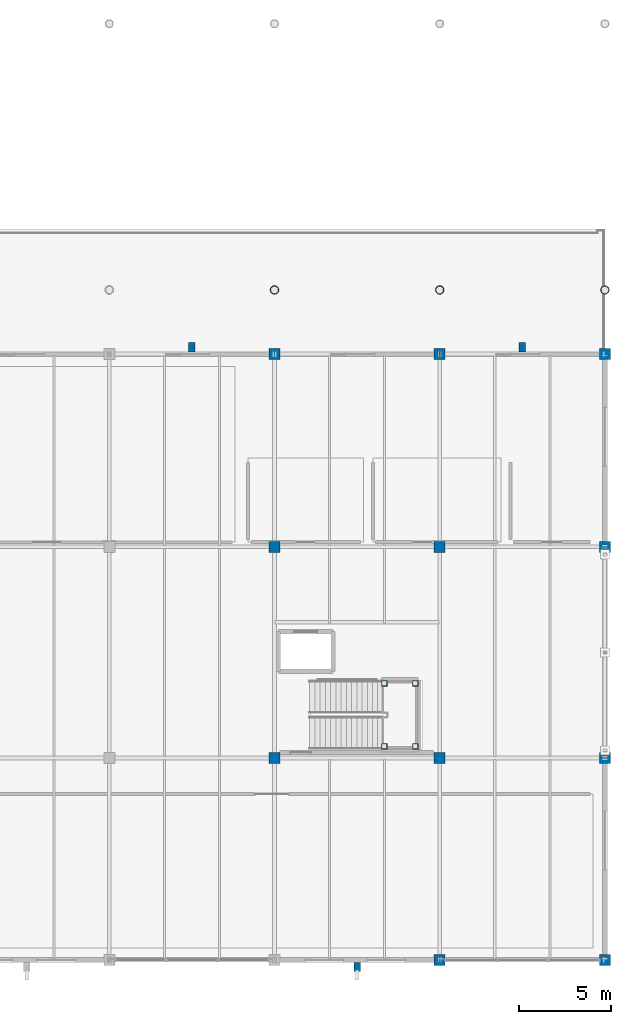
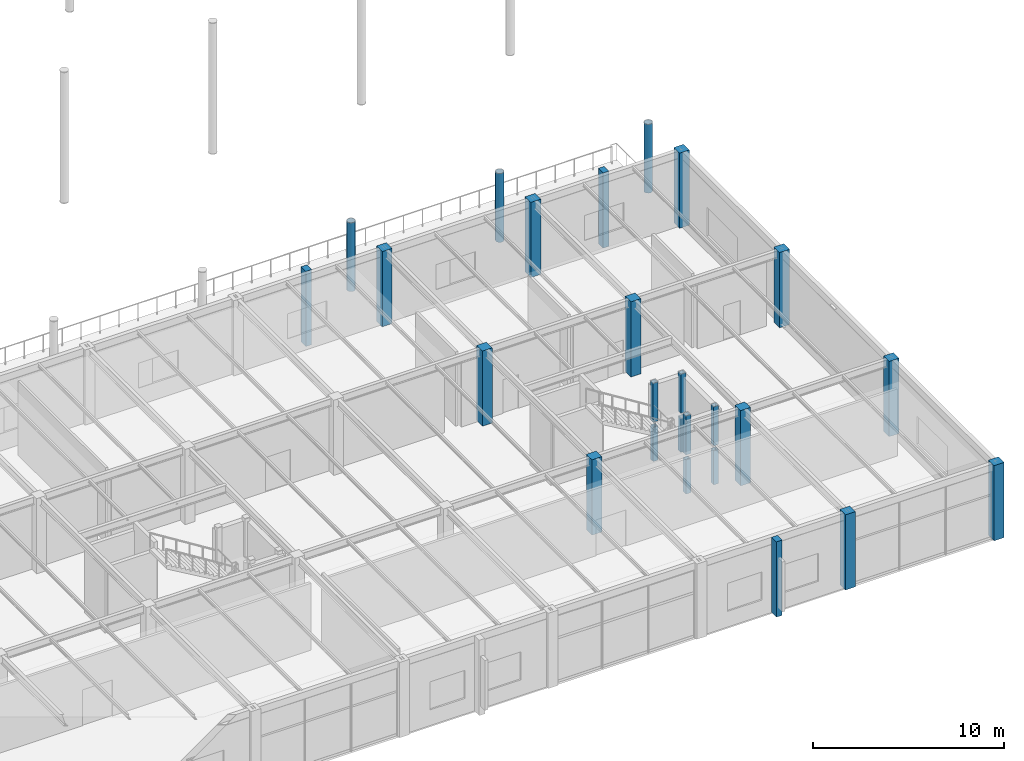
# One storey, part 19 of 143: 25 columns.
"""IFC4 building model written with IfcOpenShell, lengths in metres."""

from ifc_helpers import new_model, si_unit, direction, frame, origin, origin_2d, place, context, subcontext, project, spatial, rectangle, hollow_rectangle, hollow_circle, extrude, material, material_profile, profile_set, type_object, element, save


model = new_model("IFC4")

# Units and contexts
model_context = context("Model", 3, precision=1e-05, world=origin(), true_north=direction((0.0, 1.0)))
body_context = subcontext(model_context, "Body", "Model", "MODEL_VIEW")
ifc_project = project(units=[si_unit("LENGTHUNIT", "METRE"), si_unit("AREAUNIT", "SQUARE_METRE"), si_unit("VOLUMEUNIT", "CUBIC_METRE"), si_unit("PLANEANGLEUNIT", "RADIAN"), si_unit("MASSUNIT", "GRAM", prefix="KILO")], contexts=[model_context])

# Site, building, storey
site_placement = place(None, origin())
site = spatial("IfcSite", under=ifc_project, at=site_placement, CompositionType="ELEMENT")
building_placement = place(site_placement, origin())
building = spatial("IfcBuilding", under=site, at=building_placement, Name="Marlcrest Central Station", CompositionType="ELEMENT")
storey_placement = place(building_placement, frame((0.0, 0.0, 4.800048828125)))
storey = spatial("IfcBuildingStorey", under=building, at=storey_placement, Name="L01", CompositionType="ELEMENT", Elevation=4.800048828125)

# Columns
ifc_material_1 = material(Name="Precast concrete C40/50", Category="concrete")
ifc_material_profile_1 = material_profile(ifc_material_1, rectangle(XDim=0.35009765625, YDim=0.5, at=origin_2d()), Name="PIL 350x500")
ifc_profile_set_1 = profile_set([ifc_material_profile_1], Name="Precast concrete C40/50")
column_type_1 = type_object("IfcColumnType", Name="PL-01", PredefinedType="PILASTER", material=ifc_profile_set_1)
for number, where, z_axis, x_axis, name in (
    (1, (193.5, 33.3798828125, 0.0), (0.0, 0.0, 1.0), (1.0, 0.0, 0.0), "col-PL-01-L01-0331"),
    (2, (202.5, -0.3798828125, 0.0), (0.0, 0.0, 1.0), (1.0, 0.0, 0.0), "col-PL-01-L01-0332"),
    (3, (211.5, 33.3798828125, 0.0), (0.0, 0.0, 1.0), (1.0, 0.0, 0.0), "col-PL-01-L01-0333"),
):
    element("IfcColumn", number, at=place(storey_placement, frame(where, z_axis=z_axis, x_axis=x_axis)), inside=storey, type_object=column_type_1, Name=name, PredefinedType="PILASTER", context=body_context, shape_type="SweptSolid", body=[
        extrude(rectangle(XDim=0.35009765625, YDim=0.5, at=origin_2d()), origin(), (0.0, 0.0, 1.0), 4.81494140625),
    ])
ifc_material_2 = material(Name="Concrete C50/60", Category="concrete")
ifc_material_profile_2 = material_profile(ifc_material_2, rectangle(XDim=0.60009765625, YDim=0.60009765625, at=origin_2d()), Name="RC 600x600")
ifc_profile_set_2 = profile_set([ifc_material_profile_2], Name="Concrete C50/60")
column_type_2 = type_object("IfcColumnType", Name="RC-04", PredefinedType="COLUMN", material=ifc_profile_set_2)
for number, where, z_axis, x_axis, name in (
    (4, (198.0, 11.0, 0.0), (0.0, 0.0, 1.0), (1.0, 0.0, 0.0), "col-RC-04-L01-0317"),
    (5, (198.0, 22.5, 0.0), (0.0, 0.0, 1.0), (1.0, 0.0, 0.0), "col-RC-04-L01-0318"),
    (6, (198.0, 33.0, 0.0), (0.0, 0.0, 1.0), (1.0, 0.0, 0.0), "col-RC-04-L01-0319"),
    (7, (207.0, 0.0, 0.0), (0.0, 0.0, 1.0), (1.0, 0.0, 0.0), "col-RC-04-L01-0320"),
    (8, (207.0, 11.0, 0.0), (0.0, 0.0, 1.0), (1.0, 0.0, 0.0), "col-RC-04-L01-0321"),
    (9, (207.0, 22.5, 0.0), (0.0, 0.0, 1.0), (1.0, 0.0, 0.0), "col-RC-04-L01-0322"),
    (10, (207.0, 33.0, 0.0), (0.0, 0.0, 1.0), (1.0, 0.0, 0.0), "col-RC-04-L01-0323"),
    (11, (216.0, 0.0, 0.0), (0.0, 0.0, 1.0), (1.0, 0.0, 0.0), "col-RC-04-L01-0324"),
    (12, (216.0, 11.0, 0.0), (0.0, 0.0, 1.0), (1.0, 0.0, 0.0), "col-RC-04-L01-0325"),
    (13, (216.0, 22.5, 0.0), (0.0, 0.0, 1.0), (1.0, 0.0, 0.0), "col-RC-04-L01-0326"),
    (14, (216.0, 33.0, 0.0), (0.0, 0.0, 1.0), (1.0, 0.0, 0.0), "col-RC-04-L01-0327"),
):
    element("IfcColumn", number, at=place(storey_placement, frame(where, z_axis=z_axis, x_axis=x_axis)), inside=storey, type_object=column_type_2, Name=name, PredefinedType="COLUMN", context=body_context, shape_type="SweptSolid", body=[
        extrude(rectangle(XDim=0.60009765625, YDim=0.60009765625, at=origin_2d()), origin(), (0.0, 0.0, 1.0), 4.81494140625),
    ])
ifc_material_3 = material(Name="Steel S355", Category="steel")
ifc_material_profile_3 = material_profile(ifc_material_3, hollow_circle(Radius=0.228515625, WallThickness=0.02001953125, at=origin_2d()), Name="CHS 457x20")
ifc_profile_set_3 = profile_set([ifc_material_profile_3], Name="Steel S355")
column_type_3 = type_object("IfcColumnType", Name="SC-11", PredefinedType="COLUMN", material=ifc_profile_set_3)
for number, where, z_axis, x_axis, name in (
    (15, (198.0, 36.5, 0.0), (0.0, 0.0, 1.0), (1.0, 0.0, 0.0), "col-SC-11-L01-0579"),
    (16, (207.0, 36.5, 0.0), (0.0, 0.0, 1.0), (1.0, 0.0, 0.0), "col-SC-11-L01-0590"),
    (17, (216.0, 36.5, 0.0), (0.0, 0.0, 1.0), (1.0, 0.0, 0.0), "col-SC-11-L01-0601"),
):
    element("IfcColumn", number, at=place(storey_placement, frame(where, z_axis=z_axis, x_axis=x_axis)), inside=storey, type_object=column_type_3, Name=name, PredefinedType="COLUMN", context=body_context, shape_type="SweptSolid", body=[
        extrude(hollow_circle(Radius=0.228515625, WallThickness=0.02001953125, at=origin_2d()), origin(), (0.0, 0.0, 1.0), 4.39990234375),
    ])
ifc_material_profile_4 = material_profile(ifc_material_3, hollow_rectangle(XDim=0.300048828125, YDim=0.300048828125, WallThickness=0.01611328125, at=origin_2d()), Name="SHS 300x300x16")
ifc_profile_set_4 = profile_set([ifc_material_profile_4], Name="Steel S355")
column_type_4 = type_object("IfcColumnType", Name="SC-19", PredefinedType="COLUMN", material=ifc_profile_set_4)
column_1_placement = place(storey_placement, frame((203.989990234375, 11.6298828125, 0.0), z_axis=(0.0, 0.0, 1.0), x_axis=(1.0, 0.0, 0.0)))
element("IfcColumn", 18, at=column_1_placement, inside=storey, type_object=column_type_4, Name="htcol-lo-0040-0", PredefinedType="COLUMN", context=body_context, shape_type="SweptSolid", body=[
    extrude(hollow_rectangle(XDim=0.300048828125, YDim=0.300048828125, WallThickness=0.01611328125, at=origin_2d()), origin(), (0.0, 0.0, 1.0), 2.179931640625),
])
column_2_placement = place(storey_placement, frame((203.989990234375, 11.6298828125, 2.5), z_axis=(0.0, 0.0, 1.0), x_axis=(1.0, 0.0, 0.0)))
element("IfcColumn", 19, at=column_2_placement, inside=storey, type_object=column_type_4, Name="htcol-hi-0040-0", PredefinedType="COLUMN", context=body_context, shape_type="SweptSolid", body=[
    extrude(hollow_rectangle(XDim=0.300048828125, YDim=0.300048828125, WallThickness=0.01611328125, at=origin_2d()), origin(), (0.0, 0.0, 1.0), 2.5),
])
column_3_placement = place(storey_placement, frame((205.669921875, 11.6298828125, 0.0), z_axis=(0.0, 0.0, 1.0), x_axis=(1.0, 0.0, 0.0)))
element("IfcColumn", 20, at=column_3_placement, inside=storey, type_object=column_type_4, Name="htcol-lo-0040-1", PredefinedType="COLUMN", context=body_context, shape_type="SweptSolid", body=[
    extrude(hollow_rectangle(XDim=0.300048828125, YDim=0.300048828125, WallThickness=0.01611328125, at=origin_2d()), origin(), (0.0, 0.0, 1.0), 2.179931640625),
])
column_4_placement = place(storey_placement, frame((205.669921875, 11.6298828125, 2.5), z_axis=(0.0, 0.0, 1.0), x_axis=(1.0, 0.0, 0.0)))
element("IfcColumn", 21, at=column_4_placement, inside=storey, type_object=column_type_4, Name="htcol-hi-0040-1", PredefinedType="COLUMN", context=body_context, shape_type="SweptSolid", body=[
    extrude(hollow_rectangle(XDim=0.300048828125, YDim=0.300048828125, WallThickness=0.01611328125, at=origin_2d()), origin(), (0.0, 0.0, 1.0), 2.5),
])
column_5_placement = place(storey_placement, frame((205.669921875, 15.070068359375, 0.0), z_axis=(0.0, 0.0, 1.0), x_axis=(1.0, 0.0, 0.0)))
element("IfcColumn", 22, at=column_5_placement, inside=storey, type_object=column_type_4, Name="htcol-lo-0040-2", PredefinedType="COLUMN", context=body_context, shape_type="SweptSolid", body=[
    extrude(hollow_rectangle(XDim=0.300048828125, YDim=0.300048828125, WallThickness=0.01611328125, at=origin_2d()), origin(), (0.0, 0.0, 1.0), 2.179931640625),
])
column_6_placement = place(storey_placement, frame((205.669921875, 15.070068359375, 2.5), z_axis=(0.0, 0.0, 1.0), x_axis=(1.0, 0.0, 0.0)))
element("IfcColumn", 23, at=column_6_placement, inside=storey, type_object=column_type_4, Name="htcol-hi-0040-2", PredefinedType="COLUMN", context=body_context, shape_type="SweptSolid", body=[
    extrude(hollow_rectangle(XDim=0.300048828125, YDim=0.300048828125, WallThickness=0.01611328125, at=origin_2d()), origin(), (0.0, 0.0, 1.0), 2.5),
])
column_7_placement = place(storey_placement, frame((203.989990234375, 15.070068359375, 0.0), z_axis=(0.0, 0.0, 1.0), x_axis=(1.0, 0.0, 0.0)))
element("IfcColumn", 24, at=column_7_placement, inside=storey, type_object=column_type_4, Name="htcol-lo-0040-3", PredefinedType="COLUMN", context=body_context, shape_type="SweptSolid", body=[
    extrude(hollow_rectangle(XDim=0.300048828125, YDim=0.300048828125, WallThickness=0.01611328125, at=origin_2d()), origin(), (0.0, 0.0, 1.0), 2.179931640625),
])
column_8_placement = place(storey_placement, frame((203.989990234375, 15.070068359375, 2.5), z_axis=(0.0, 0.0, 1.0), x_axis=(1.0, 0.0, 0.0)))
element("IfcColumn", 25, at=column_8_placement, inside=storey, type_object=column_type_4, Name="htcol-hi-0040-3", PredefinedType="COLUMN", context=body_context, shape_type="SweptSolid", body=[
    extrude(hollow_rectangle(XDim=0.300048828125, YDim=0.300048828125, WallThickness=0.01611328125, at=origin_2d()), origin(), (0.0, 0.0, 1.0), 2.5),
])

save(model, "model.ifc")
